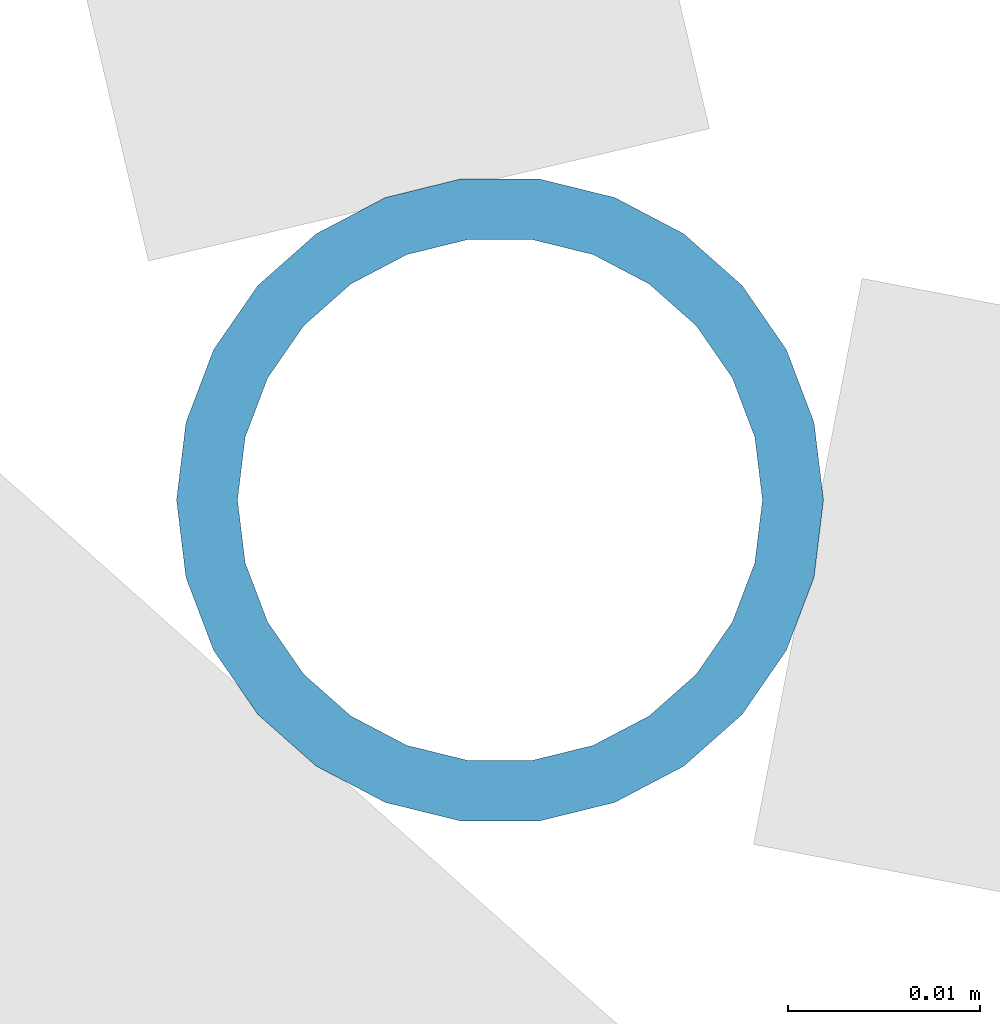
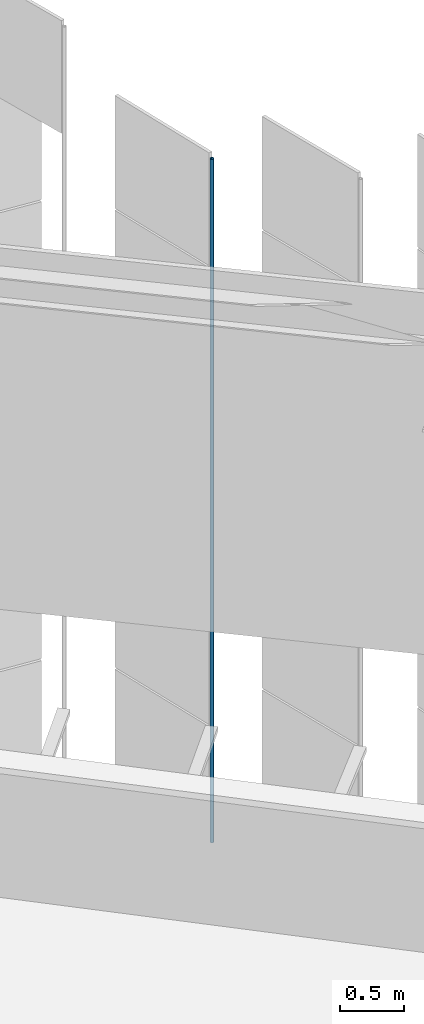
# One storey, part 322 of 483: 1 discrete accessory.
"""IFC4 building model written with IfcOpenShell, lengths in metres."""

import ifcopenshell
import ifcopenshell.guid

model = None  # the IFC model being written
_history = None  # IfcOwnerHistory: only IFC2X3 demands one
_inside = {}  # id of a spatial element -> (the spatial element, [elements in it])
_under = {}  # id of a project, library or spatial element -> (it, [spatial elements below it])
_declared = {}  # id of a project -> (the project, [libraries it declares])
_typed = {}  # id of a type object -> (the type object, [elements of that type])
_made_of = {}  # id of a material, layer set ... -> (it, [elements and type objects made of it])


def new_model(schema):
    """Start an empty IFC model of exactly this schema.

    Asked for "IFC4X3", IfcOpenShell would pick the latest addendum, in which some entities
    have other attributes; the version numbers below select the first issue.
    IFC2X3 requires an IfcOwnerHistory on every rooted entity: one is made here for all.
    """
    global model, _history
    if schema == "IFC4X3":
        model = ifcopenshell.file(schema_version=(4, 3, 0, 0))
    else:
        model = ifcopenshell.file(schema=schema)
    _inside.clear()
    _under.clear()
    _declared.clear()
    _typed.clear()
    _made_of.clear()
    _history = None
    if model.schema == "IFC2X3":
        org = make("IfcOrganization", Name="unknown")
        user = make(
            "IfcPersonAndOrganization",
            ThePerson=make("IfcPerson", FamilyName="unknown"),
            TheOrganization=org,
        )
        app = make(
            "IfcApplication",
            ApplicationDeveloper=org,
            Version="unknown",
            ApplicationFullName="unknown",
            ApplicationIdentifier="unknown",
        )
        _history = make(
            "IfcOwnerHistory",
            OwningUser=user,
            OwningApplication=app,
            ChangeAction="ADDED",
            CreationDate=0,
        )
    return model


def make(cls, **values):
    """One entity of the class cls with the attributes given. An attribute that is None is left unset."""
    return model.create_entity(
        cls, **{name: value for name, value in values.items() if value is not None}
    )


def rooted(cls, **values):
    """An entity with a GlobalId (a new one), such as an element, a storey or a relation."""
    return make(cls, GlobalId=ifcopenshell.guid.new(), OwnerHistory=_history, **values)


def si_unit(unit_type, name, prefix=None):
    """IfcSIUnit, for example si_unit("LENGTHUNIT", "METRE", prefix="MILLI")."""
    return make("IfcSIUnit", UnitType=unit_type, Prefix=prefix, Name=name)


def assignment(units):
    """IfcUnitAssignment: the units of a project."""
    return None if units is None else make("IfcUnitAssignment", Units=units)


def point(xyz):
    """IfcCartesianPoint."""
    return None if xyz is None else make("IfcCartesianPoint", Coordinates=xyz)


def direction(xyz):
    """IfcDirection."""
    return None if xyz is None else make("IfcDirection", DirectionRatios=xyz)


def frame(location, z_axis=None, x_axis=None):
    """IfcAxis2Placement3D, a coordinate frame: its origin and axes. An axis left out is left unset."""
    return make(
        "IfcAxis2Placement3D",
        Location=point(location),
        Axis=direction(z_axis),
        RefDirection=direction(x_axis),
    )


def frame_2d(location, x_axis=None):
    """IfcAxis2Placement2D, a coordinate frame in the plane: its origin and x axis."""
    return make(
        "IfcAxis2Placement2D", Location=point(location), RefDirection=direction(x_axis)
    )


def origin():
    """The frame at (0, 0, 0) with its axes left unset."""
    return frame((0.0, 0.0, 0.0))


def origin_2d():
    """The frame at (0, 0) in the plane with its x axis left unset."""
    return frame_2d((0.0, 0.0))


def place(relative_to, where):
    """IfcLocalPlacement: puts the frame where relative to a parent placement (None: the world)."""
    return make(
        "IfcLocalPlacement", PlacementRelTo=relative_to, RelativePlacement=where
    )


def context(
    kind, dimensions, precision=None, world=None, true_north=None, identifier=None
):
    """IfcGeometricRepresentationContext, for example the 3D "Model" context."""
    return make(
        "IfcGeometricRepresentationContext",
        ContextIdentifier=identifier,
        ContextType=kind,
        CoordinateSpaceDimension=dimensions,
        Precision=precision,
        WorldCoordinateSystem=world,
        TrueNorth=true_north,
    )


def subcontext(parent, identifier, kind, view, scale=None):
    """IfcGeometricRepresentationSubContext, for example "Body" below "Model"."""
    return make(
        "IfcGeometricRepresentationSubContext",
        ContextIdentifier=identifier,
        ContextType=kind,
        ParentContext=parent,
        TargetScale=scale,
        TargetView=view,
    )


def project(units=None, contexts=None):
    """IfcProject with its units and contexts."""
    return rooted(
        "IfcProject",
        Name="project",
        RepresentationContexts=contexts,
        UnitsInContext=assignment(units),
    )


def spatial(cls, under=None, at=None, **own):
    """A site, building, storey or space (cls), placed at a placement, below another one or the project."""
    s = rooted(cls, ObjectPlacement=at, **own)
    if under is not None:
        _under.setdefault(under.id(), (under, []))[1].append(s)
    return s


def profile(cls, at=None, kind="AREA", **sizes):
    """A parametric profile (cls). Its sizes go by their IFC names, for example OverallWidth=200.0."""
    return make(cls, ProfileType=kind, Position=at, **sizes)


def hollow_circle(**sizes):
    """IfcCircleHollowProfileDef."""
    return profile("IfcCircleHollowProfileDef", **sizes)


def extrude(swept, where, along, depth):
    """IfcExtrudedAreaSolid: the profile swept, set in the frame where, extruded along a direction by depth."""
    return make(
        "IfcExtrudedAreaSolid",
        SweptArea=swept,
        Position=where,
        ExtrudedDirection=direction(along),
        Depth=depth,
    )


def shape(context_of_items, identifier, shape_type, items):
    """IfcShapeRepresentation: the items that make up one representation, for example the "Body"."""
    return make(
        "IfcShapeRepresentation",
        ContextOfItems=context_of_items,
        RepresentationIdentifier=identifier,
        RepresentationType=shape_type,
        Items=items,
    )


def material(Name=None, Category=None):
    """IfcMaterial."""
    return make("IfcMaterial", Name=Name, Category=Category)


def material_profile(
    of_material, cross_section, Name=None, Category=None, Priority=None
):
    """IfcMaterialProfile: a cross section and its material."""
    return make(
        "IfcMaterialProfile",
        Name=Name,
        Material=of_material,
        Profile=cross_section,
        Priority=Priority,
        Category=Category,
    )


def profile_set(profiles, Name=None, composite=None):
    """IfcMaterialProfileSet."""
    return make(
        "IfcMaterialProfileSet",
        Name=Name,
        MaterialProfiles=profiles,
        CompositeProfile=composite,
    )


def made_of(thing, what):
    """Note that an element or type object is made of a material, layer set ...; save() writes the relation."""
    if what is not None:
        _made_of.setdefault(what.id(), (what, []))[1].append(thing)
    return thing


def type_object(cls, material=None, **own):
    """A type object (cls), such as IfcWallType, which elements share."""
    return made_of(rooted(cls, **own), material)


def element(
    cls,
    number,
    at=None,
    inside=None,
    cuts=None,
    type_object=None,
    material=None,
    context=None,
    identifier="Body",
    shape_type=None,
    held_by="IfcProductDefinitionShape",
    body=None,
    shapes=None,
    **own,
):
    """One element of the class cls, such as IfcWall. Its Tag is "e" and its number.

    at: its placement. inside: the storey or other place that contains it. cuts: it is an
    opening in that element (IfcRelVoidsElement). A single representation is given by context,
    identifier, shape_type and body (its items); several are given by shapes. held_by: the class
    of the entity that holds the representations. save() writes the other relations.
    """
    e = rooted(cls, Tag="e%d" % number, ObjectPlacement=at, **own)
    if body is not None:
        shapes = [shape(context, identifier, shape_type, body)]
    if shapes is not None:
        e.Representation = make(held_by, Representations=shapes)
    if inside is not None:
        _inside.setdefault(inside.id(), (inside, []))[1].append(e)
    if cuts is not None:
        rooted(
            "IfcRelVoidsElement", RelatingBuildingElement=cuts, RelatedOpeningElement=e
        )
    if type_object is not None:
        _typed.setdefault(type_object.id(), (type_object, []))[1].append(e)
    return made_of(e, material)


def aggregate(whole, parts):
    """IfcRelAggregates: a whole, such as a stair, and the parts it consists of."""
    return rooted("IfcRelAggregates", RelatingObject=whole, RelatedObjects=parts)


def save(model, path):
    """Write the relations noted so far, then the file.

    IfcRelAggregates (storeys below a building ...), IfcRelContainedInSpatialStructure (elements
    in a storey), IfcRelDefinesByType, IfcRelAssociatesMaterial and IfcRelDeclares: one each for
    every whole, place, type object, material and project.
    """
    for whole, parts in _under.values():
        aggregate(whole, parts)
    for where, things in _inside.values():
        rooted(
            "IfcRelContainedInSpatialStructure",
            RelatedElements=things,
            RelatingStructure=where,
        )
    for kind, things in _typed.values():
        rooted("IfcRelDefinesByType", RelatedObjects=things, RelatingType=kind)
    for what, things in _made_of.values():
        rooted("IfcRelAssociatesMaterial", RelatedObjects=things, RelatingMaterial=what)
    for by, libraries in _declared.values():
        rooted("IfcRelDeclares", RelatingContext=by, RelatedDefinitions=libraries)
    model.write(path)


model = new_model("IFC4")

# Units and contexts
model_context = context("Model", 3, precision=1e-05, world=origin(), true_north=direction((0.0, 1.0)))
body_context = subcontext(model_context, "Body", "Model", "MODEL_VIEW")
ifc_project = project(units=[si_unit("LENGTHUNIT", "METRE"), si_unit("AREAUNIT", "SQUARE_METRE"), si_unit("VOLUMEUNIT", "CUBIC_METRE"), si_unit("PLANEANGLEUNIT", "RADIAN"), si_unit("MASSUNIT", "GRAM", prefix="KILO")], contexts=[model_context])

# Site, building, storey
site_placement = place(None, origin())
site = spatial("IfcSite", under=ifc_project, at=site_placement, CompositionType="ELEMENT")
building_placement = place(site_placement, origin())
building = spatial("IfcBuilding", under=site, at=building_placement, Name="Parallax Yard Mobility Hub", CompositionType="ELEMENT")
storey_placement = place(building_placement, frame((0.0, 0.0, 13.199951171875)))
storey = spatial("IfcBuildingStorey", under=building, at=storey_placement, Name="L04", CompositionType="ELEMENT", Elevation=13.199951171875)

# Discrete accessory
ifc_material = material(Name="Steel ASTM A500 Gr C, hot-dip galvanised", Category="steel")
ifc_material_profile = material_profile(ifc_material, hollow_circle(Radius=0.016845703125, WallThickness=0.003173828125, at=origin_2d()), Name="CHS 33.7x3.2")
ifc_profile_set = profile_set([ifc_material_profile], Name="Steel ASTM A500 Gr C, hot-dip galvanised")
discrete_accessory_type = type_object("IfcDiscreteAccessoryType", Name="Hinge post CHS 33.7x3.2", PredefinedType="BRACKET", material=ifc_profile_set)
discrete_accessory_placement = place(storey_placement, frame((208.47021484375, 129.36279296875, 0.0), z_axis=(0.0, 0.0, 1.0), x_axis=(1.0, 0.0, 0.0)))
element("IfcDiscreteAccessory", 1, at=discrete_accessory_placement, inside=storey, type_object=discrete_accessory_type, Name="Hinge post bay 46.3 level L04", PredefinedType="BRACKET", context=body_context, shape_type="SweptSolid", body=[
    extrude(hollow_circle(Radius=0.016845703125, WallThickness=0.003173828125, at=origin_2d()), origin(), (0.0, 0.0, 1.0), 6.550048828125),
])

save(model, "model.ifc")
